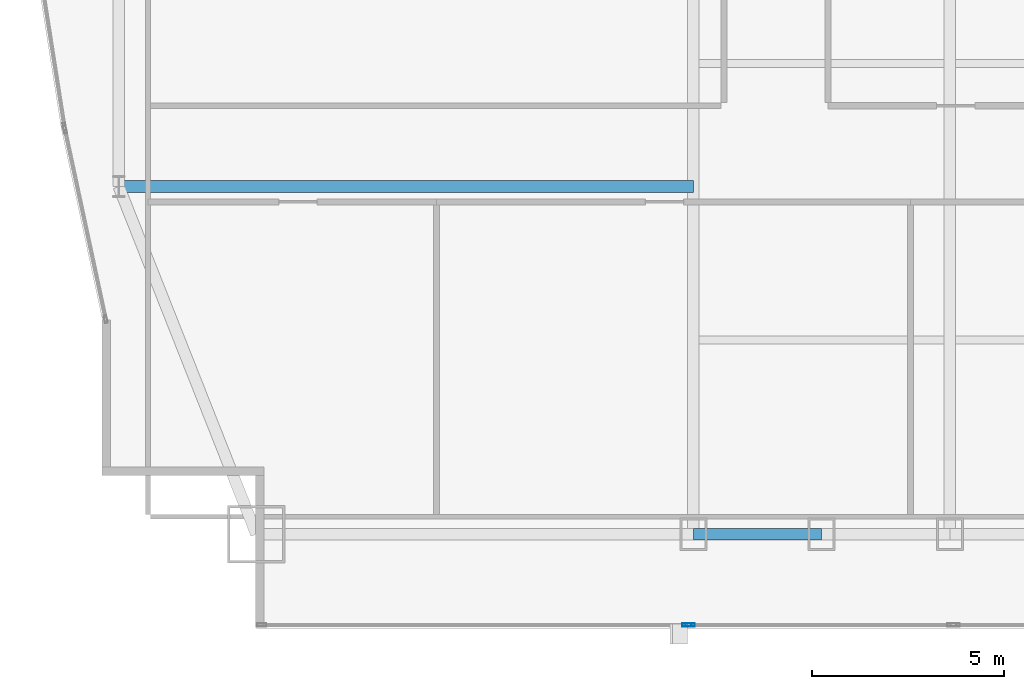
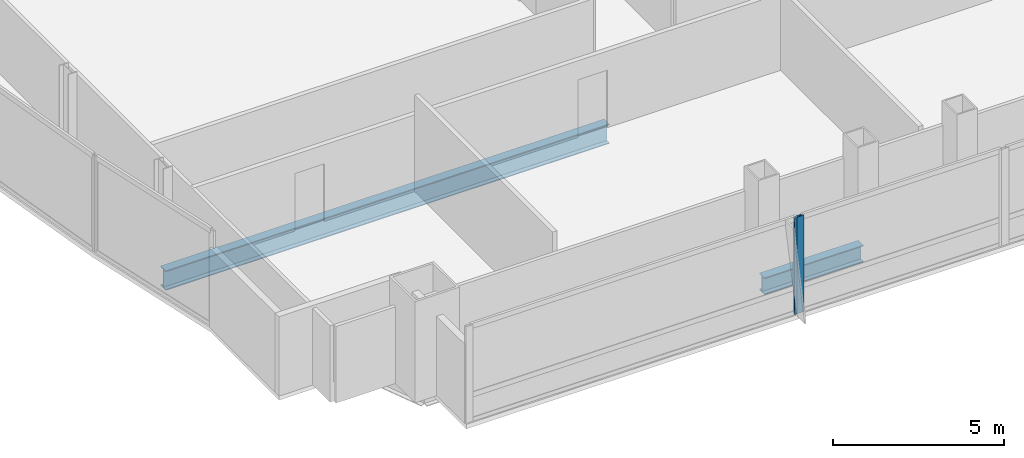
# One storey, part 7 of 32: 2 beams, 2 members, 2 elements without a shape of their own.
"""IFC4 building model written with IfcOpenShell, lengths in metres."""

from ifc_helpers import new_model, si_unit, direction, frame, origin, origin_2d, place, context, subcontext, project, spatial, hollow_rectangle, i_section, extrude, material, material_profile, profile_set, type_object, element, aggregate, save


model = new_model("IFC4")

# Units and contexts
model_context = context("Model", 3, precision=1e-05, world=origin(), true_north=direction((0.0, 1.0)))
body_context = subcontext(model_context, "Body", "Model", "MODEL_VIEW")
ifc_project = project(units=[si_unit("LENGTHUNIT", "METRE"), si_unit("AREAUNIT", "SQUARE_METRE"), si_unit("VOLUMEUNIT", "CUBIC_METRE"), si_unit("PLANEANGLEUNIT", "RADIAN"), si_unit("MASSUNIT", "GRAM", prefix="KILO")], contexts=[model_context])

# Site, building, storey
site_placement = place(None, origin())
site = spatial("IfcSite", under=ifc_project, at=site_placement, CompositionType="ELEMENT")
building_placement = place(site_placement, origin())
building = spatial("IfcBuilding", under=site, at=building_placement, Name="Khoronbel Lancet Exchange", CompositionType="ELEMENT")
storey_placement = place(building_placement, frame((0.0, 0.0, 111.0)))
storey = spatial("IfcBuildingStorey", under=building, at=storey_placement, Name="L26", CompositionType="ELEMENT", Elevation=111.0)

# Beams
ifc_material_1 = material(Name="Steel S355", Category="steel")
ifc_material_profile_1 = material_profile(ifc_material_1, i_section(OverallWidth=0.300048828125, OverallDepth=0.699951171875, WebThickness=0.01708984375, FlangeThickness=0.031982421875, at=origin_2d()), Name="HEB 700")
ifc_profile_set_1 = profile_set([ifc_material_profile_1], Name="Steel S355")
beam_type_1 = type_object("IfcBeamType", Name="BM-BG3", PredefinedType="BEAM", material=ifc_profile_set_1)
beam_1_placement = place(storey_placement, frame((3.27001953125, 19.199951171875, -0.510009765625), z_axis=(1.0, 0.0, 0.0), x_axis=(0.0, 1.0, 0.0)))
element("IfcBeam", 1, at=beam_1_placement, inside=storey, type_object=beam_type_1, Name="Level L26 west lens tie girder LG1W", PredefinedType="BEAM", context=body_context, shape_type="SweptSolid", body=[
    extrude(i_section(OverallWidth=0.300048828125, OverallDepth=0.699951171875, WebThickness=0.01708984375, FlangeThickness=0.031982421875, at=origin_2d()), origin(), (0.0, 0.0, 1.0), 14.955078125),
])
ifc_material_profile_2 = material_profile(ifc_material_1, i_section(OverallWidth=0.300048828125, OverallDepth=0.60009765625, WebThickness=0.015380859375, FlangeThickness=0.030029296875, at=origin_2d()), Name="HEB 600")
ifc_profile_set_2 = profile_set([ifc_material_profile_2], Name="Steel S355")
beam_type_2 = type_object("IfcBeamType", Name="BM-BSP2", PredefinedType="SPANDREL", material=ifc_profile_set_2)
beam_2_placement = place(storey_placement, frame((18.22509765625, 10.14990234375, -0.4599609375), z_axis=(1.0, 0.0, 0.0), x_axis=(0.0, 1.0, 0.0)))
element("IfcBeam", 2, at=beam_2_placement, inside=storey, type_object=beam_type_2, Name="Level L26 perimeter spandrel beam SP02", PredefinedType="SPANDREL", context=body_context, shape_type="SweptSolid", body=[
    extrude(i_section(OverallWidth=0.300048828125, OverallDepth=0.60009765625, WebThickness=0.015380859375, FlangeThickness=0.030029296875, at=origin_2d()), origin(), (0.0, 0.0, 1.0), 3.33740234375),
])

# Curtain wall, member
ifc_material_2 = material(Name="Low-E Solar Control Insulating Glass", Category="glass")
curtain_wall_type = type_object("IfcCurtainWallType", Name="CW-2", PredefinedType="NOTDEFINED", material=ifc_material_2)
curtain_wall_1_placement = place(storey_placement, origin())
curtain_wall_1 = element("IfcCurtainWall", 3, at=curtain_wall_1_placement, inside=storey, type_object=curtain_wall_type, Name="Unitised curtain wall CW-L26-SWV", PredefinedType="NOTDEFINED")
ifc_material_3 = material(Name="Bronze-Anodised Aluminium 6063-T6", Category="aluminium")
ifc_material_profile_3 = material_profile(ifc_material_3, hollow_rectangle(XDim=0.0849609375, YDim=0.239990234375, WallThickness=0.006103515625, at=origin_2d()), Name="ALU MULLION 85x240")
ifc_profile_set_3 = profile_set([ifc_material_profile_3], Name="Bronze-Anodised Aluminium 6063-T6")
member_type = type_object("IfcMemberType", Name="MEM-CWM1", PredefinedType="MULLION", material=ifc_profile_set_3)
member_1_placement = place(storey_placement, frame((18.0576171875, 7.7900390625, 0.0), z_axis=(0.0, 0.0, 1.0), x_axis=(0.0, 1.0, 0.0)))
member_1 = element("IfcMember", 4, at=member_1_placement, type_object=member_type, Name="CW2 mullion 2", PredefinedType="MULLION", context=body_context, shape_type="SweptSolid", body=[
    extrude(hollow_rectangle(XDim=0.0849609375, YDim=0.239990234375, WallThickness=0.006103515625, at=origin_2d()), origin(), (0.0, 0.0, 1.0), 3.43994140625),
])
aggregate(curtain_wall_1, [member_1])

curtain_wall_2_placement = place(storey_placement, origin())
curtain_wall_2 = element("IfcCurtainWall", 5, at=curtain_wall_2_placement, inside=storey, type_object=curtain_wall_type, Name="Unitised curtain wall CW-L26-SWB", PredefinedType="NOTDEFINED")
member_2_placement = place(storey_placement, frame((18.142578125, 7.7900390625, 0.0), z_axis=(0.0, 0.0, 1.0), x_axis=(0.0, 1.0, 0.0)))
member_2 = element("IfcMember", 6, at=member_2_placement, type_object=member_type, Name="CW2 mullion 1", PredefinedType="MULLION", context=body_context, shape_type="SweptSolid", body=[
    extrude(hollow_rectangle(XDim=0.0849609375, YDim=0.239990234375, WallThickness=0.006103515625, at=origin_2d()), origin(), (0.0, 0.0, 1.0), 3.43994140625),
])
aggregate(curtain_wall_2, [member_2])

save(model, "model.ifc")
